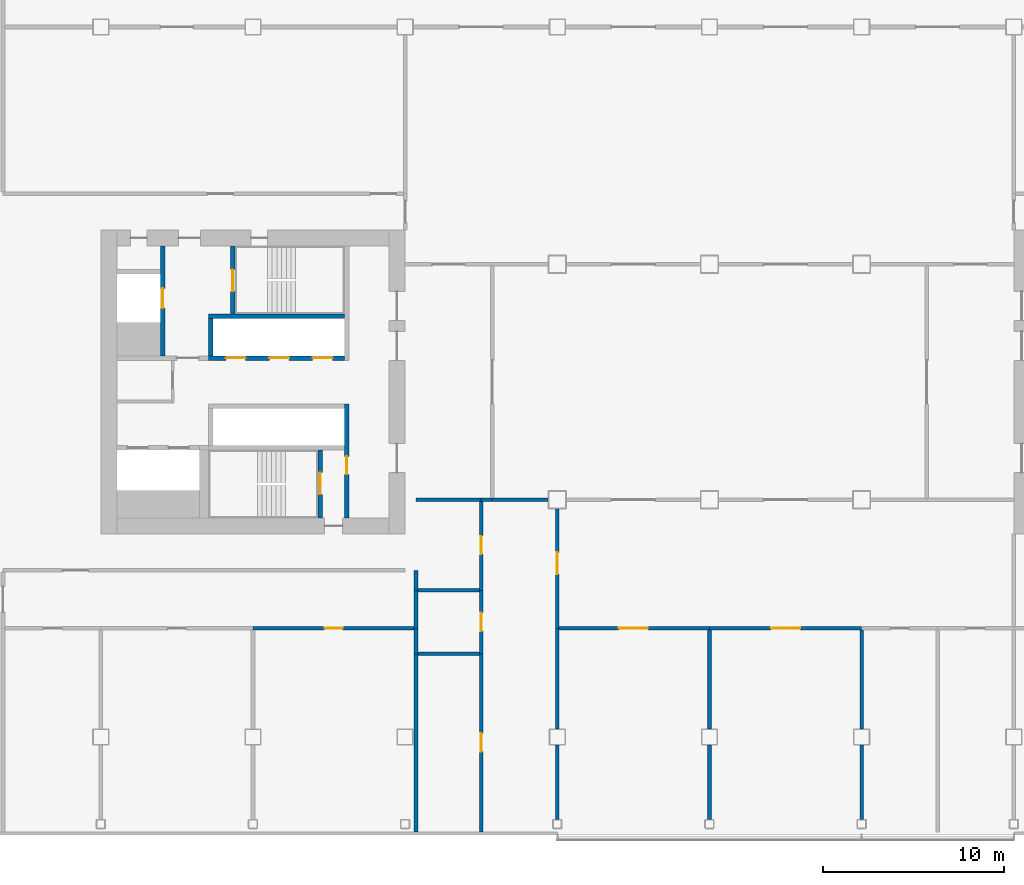
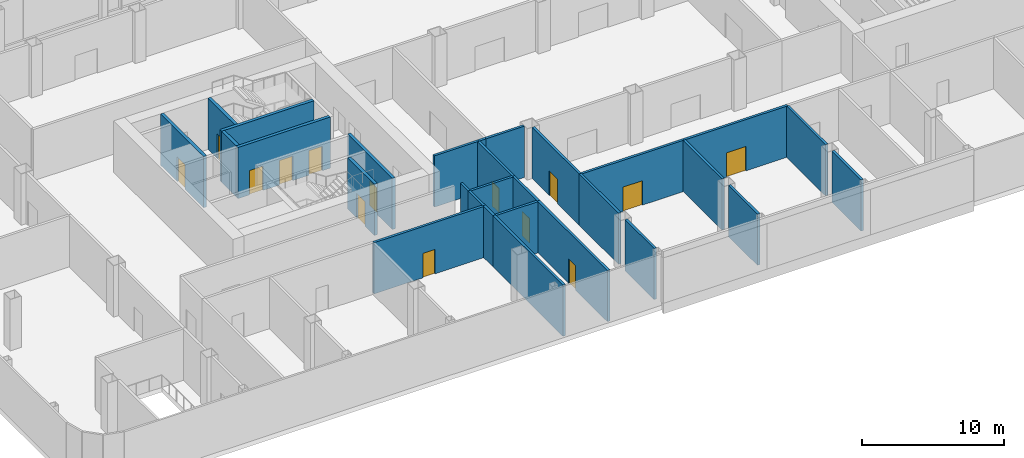
# One storey, part 19 of 53: 29 walls, 14 doors, 14 openings.
"""IFC4 building model written with IfcOpenShell, lengths in metres."""

from ifc_helpers import new_model, si_unit, direction, frame, frame_2d, origin, place, context, subcontext, project, spatial, rectangle, extrude, material, layer, layer_set, type_object, element, fill, save


model = new_model("IFC4")

# Units and contexts
model_context = context("Model", 3, precision=1e-05, world=origin(), true_north=direction((0.0, 1.0)))
body_context = subcontext(model_context, "Body", "Model", "MODEL_VIEW")
ifc_project = project(units=[si_unit("LENGTHUNIT", "METRE"), si_unit("AREAUNIT", "SQUARE_METRE"), si_unit("VOLUMEUNIT", "CUBIC_METRE"), si_unit("PLANEANGLEUNIT", "RADIAN"), si_unit("MASSUNIT", "GRAM", prefix="KILO")], contexts=[model_context])

# Site, building, storey
site_placement = place(None, origin())
site = spatial("IfcSite", under=ifc_project, at=site_placement, CompositionType="ELEMENT")
building_placement = place(site_placement, origin())
building = spatial("IfcBuilding", under=site, at=building_placement, Name="Hakoniwa Tower and Hamabe Station Hall", CompositionType="ELEMENT")
storey_placement = place(building_placement, frame((0.0, 0.0, 15.0)))
storey = spatial("IfcBuildingStorey", under=building, at=storey_placement, Name="L03", CompositionType="ELEMENT", Elevation=15.0)

# Wall, opening, door
ifc_material_1 = material(Name="Concrete C80", Category="concrete")
ifc_layer_1 = layer(ifc_material_1, 0.25)
ifc_layer_set_1 = layer_set([ifc_layer_1], Name="CORE WEB WALL 250 C80")
wall_type_1 = type_object("IfcWallType", Name="CORE WEB WALL 250 C80", PredefinedType="SHEAR", material=ifc_layer_set_1)
wall_1_placement = place(storey_placement, frame((-20.02490234375, -7.5, 0.0), z_axis=(0.0, 0.0, 1.0), x_axis=(0.0, 1.0, 0.0)))
wall_1 = element("IfcWall", 1, at=wall_1_placement, inside=storey, type_object=wall_type_1, Name="Core wall W1S west", PredefinedType="SHEAR", context=body_context, shape_type="SweptSolid", body=[
    extrude(rectangle(XDim=6.300048828125, YDim=0.25, at=frame_2d((3.14990234375, 0.0))), origin(), (0.0, 0.0, 1.0), 4.39990234375),
])
opening_1_placement = place(wall_1_placement, frame((2.39990234375, 0.0, 0.0)))
opening_1 = element("IfcOpeningElement", 2, at=opening_1_placement, cuts=wall_1, Name="Opening CD-W-VS-10", PredefinedType="OPENING", context=body_context, shape_type="SweptSolid", body=[
    extrude(rectangle(XDim=1.0, YDim=2.10009765625, at=frame_2d((0.5, 1.050048828125))), frame((0.0, 0.135009765625, 0.0), z_axis=(0.0, -1.0, 0.0), x_axis=(1.0, 0.0, 0.0)), (0.0, 0.0, 1.0), 0.27001953125),
])
ifc_material_2 = material(Name="Steel fire door", Category="steel")
door_type_1 = type_object("IfcDoorType", Name="CORE DOOR 1000 FD60", OperationType="NOTDEFINED", PredefinedType="DOOR", material=ifc_material_2)
door_1_placement = place(opening_1_placement, origin())
door_1 = element("IfcDoor", 3, at=door_1_placement, inside=storey, type_object=door_type_1, Name="Stair vestibule door", OperationType="SINGLE_SWING_LEFT", OverallHeight=2.10009765625, OverallWidth=1.0, PredefinedType="DOOR", context=body_context, shape_type="SweptSolid", body=[
    extrude(rectangle(XDim=1.0, YDim=2.10009765625, at=frame_2d((0.5, 1.050048828125))), frame((0.0, 0.02490234375, 0.0), z_axis=(0.0, -1.0, 0.0), x_axis=(1.0, 0.0, 0.0)), (0.0, 0.0, 1.0), 0.050048828125),
])
fill(opening_1, door_1)

# Wall, openings, doors
wall_2_placement = place(storey_placement, frame((-27.64990234375, 1.324951171875, 0.0), z_axis=(0.0, 0.0, 1.0), x_axis=(1.0, 0.0, 0.0)))
wall_2 = element("IfcWall", 4, at=wall_2_placement, inside=storey, type_object=wall_type_1, Name="Core wall NF west", PredefinedType="SHEAR", context=body_context, shape_type="SweptSolid", body=[
    extrude(rectangle(XDim=7.5, YDim=0.25, at=frame_2d((3.75, 0.0))), origin(), (0.0, 0.0, 1.0), 4.39990234375),
])
opening_2_placement = place(wall_2_placement, frame((5.75, 0.0, 0.0)))
opening_2 = element("IfcOpeningElement", 5, at=opening_2_placement, cuts=wall_2, Name="Opening LD-LR1", PredefinedType="OPENING", context=body_context, shape_type="SweptSolid", body=[
    extrude(rectangle(XDim=1.10009765625, YDim=2.10009765625, at=frame_2d((0.550048828125, 1.050048828125))), frame((0.0, 0.135009765625, 0.0), z_axis=(0.0, -1.0, 0.0), x_axis=(1.0, 0.0, 0.0)), (0.0, 0.0, 1.0), 0.27001953125),
])
opening_3_placement = place(wall_2_placement, frame((3.35009765625, 0.0, 0.0)))
opening_3 = element("IfcOpeningElement", 6, at=opening_3_placement, cuts=wall_2, Name="Opening LD-LR2", PredefinedType="OPENING", context=body_context, shape_type="SweptSolid", body=[
    extrude(rectangle(XDim=1.10009765625, YDim=2.10009765625, at=frame_2d((0.550048828125, 1.050048828125))), frame((0.0, 0.135009765625, 0.0), z_axis=(0.0, -1.0, 0.0), x_axis=(1.0, 0.0, 0.0)), (0.0, 0.0, 1.0), 0.27001953125),
])
opening_4_placement = place(wall_2_placement, frame((0.949951171875, 0.0, 0.0)))
opening_4 = element("IfcOpeningElement", 7, at=opening_4_placement, cuts=wall_2, Name="Opening LD-LR3", PredefinedType="OPENING", context=body_context, shape_type="SweptSolid", body=[
    extrude(rectangle(XDim=1.10009765625, YDim=2.10009765625, at=frame_2d((0.550048828125, 1.050048828125))), frame((0.0, 0.135009765625, 0.0), z_axis=(0.0, -1.0, 0.0), x_axis=(1.0, 0.0, 0.0)), (0.0, 0.0, 1.0), 0.27001953125),
])
ifc_material_3 = material(Name="Stainless steel SUS304", Category="steel")
door_type_2 = type_object("IfcDoorType", Name="LIFT LANDING DOOR 1100 FD60", OperationType="DOUBLE_DOOR_SLIDING", PredefinedType="DOOR", material=ifc_material_3)
door_2_placement = place(opening_2_placement, origin())
door_2 = element("IfcDoor", 8, at=door_2_placement, inside=storey, type_object=door_type_2, Name="Lift landing door LR1 L03", OperationType="DOUBLE_DOOR_SLIDING", OverallHeight=2.10009765625, OverallWidth=1.10009765625, PredefinedType="DOOR", context=body_context, shape_type="SweptSolid", body=[
    extrude(rectangle(XDim=1.10009765625, YDim=2.10009765625, at=frame_2d((0.550048828125, 1.050048828125))), frame((0.0, 0.02490234375, 0.0), z_axis=(0.0, -1.0, 0.0), x_axis=(1.0, 0.0, 0.0)), (0.0, 0.0, 1.0), 0.050048828125),
])
fill(opening_2, door_2)
door_3_placement = place(opening_3_placement, origin())
door_3 = element("IfcDoor", 9, at=door_3_placement, inside=storey, type_object=door_type_2, Name="Lift landing door LR2 L03", OperationType="DOUBLE_DOOR_SLIDING", OverallHeight=2.10009765625, OverallWidth=1.10009765625, PredefinedType="DOOR", context=body_context, shape_type="SweptSolid", body=[
    extrude(rectangle(XDim=1.10009765625, YDim=2.10009765625, at=frame_2d((0.550048828125, 1.050048828125))), frame((0.0, 0.02490234375, 0.0), z_axis=(0.0, -1.0, 0.0), x_axis=(1.0, 0.0, 0.0)), (0.0, 0.0, 1.0), 0.050048828125),
])
fill(opening_3, door_3)
door_4_placement = place(opening_4_placement, origin())
door_4 = element("IfcDoor", 10, at=door_4_placement, inside=storey, type_object=door_type_2, Name="Lift landing door LR3 L03", OperationType="DOUBLE_DOOR_SLIDING", OverallHeight=2.10009765625, OverallWidth=1.10009765625, PredefinedType="DOOR", context=body_context, shape_type="SweptSolid", body=[
    extrude(rectangle(XDim=1.10009765625, YDim=2.10009765625, at=frame_2d((0.550048828125, 1.050048828125))), frame((0.0, 0.02490234375, 0.0), z_axis=(0.0, -1.0, 0.0), x_axis=(1.0, 0.0, 0.0)), (0.0, 0.0, 1.0), 0.050048828125),
])
fill(opening_4, door_4)

# Walls
wall_3_placement = place(storey_placement, frame((-27.52490234375, 1.449951171875, 0.0), z_axis=(0.0, 0.0, 1.0), x_axis=(0.0, 1.0, 0.0)))
element("IfcWall", 11, at=wall_3_placement, inside=storey, type_object=wall_type_1, Name="Core wall NE west", PredefinedType="SHEAR", context=body_context, shape_type="SweptSolid", body=[
    extrude(rectangle(XDim=2.050048828125, YDim=0.25, at=frame_2d((1.02490234375, 0.0))), origin(), (0.0, 0.0, 1.0), 4.39990234375),
])
wall_4_placement = place(storey_placement, frame((-27.64990234375, 3.625, 0.0), z_axis=(0.0, 0.0, 1.0), x_axis=(1.0, 0.0, 0.0)))
element("IfcWall", 12, at=wall_4_placement, inside=storey, type_object=wall_type_1, Name="Core wall NR west", PredefinedType="SHEAR", context=body_context, shape_type="SweptSolid", body=[
    extrude(rectangle(XDim=7.5, YDim=0.25, at=frame_2d((3.75, 0.0))), origin(), (0.0, 0.0, 1.0), 4.39990234375),
])

# Wall, opening, door
wall_5_placement = place(storey_placement, frame((-26.324951171875, 3.75, 0.0), z_axis=(0.0, 0.0, 1.0), x_axis=(0.0, 1.0, 0.0)))
wall_5 = element("IfcWall", 13, at=wall_5_placement, inside=storey, type_object=wall_type_1, Name="Core wall NSE west", PredefinedType="SHEAR", context=body_context, shape_type="SweptSolid", body=[
    extrude(rectangle(XDim=3.75, YDim=0.25, at=frame_2d((1.875, 0.0))), origin(), (0.0, 0.0, 1.0), 4.39990234375),
])
opening_5_placement = place(wall_5_placement, frame((1.25, 0.0, 0.0)))
opening_5 = element("IfcOpeningElement", 14, at=opening_5_placement, cuts=wall_5, Name="Opening CD-W-SN-12", PredefinedType="OPENING", context=body_context, shape_type="SweptSolid", body=[
    extrude(rectangle(XDim=1.199951171875, YDim=2.10009765625, at=frame_2d((0.60009765625, 1.050048828125))), frame((0.0, 0.135009765625, 0.0), z_axis=(0.0, -1.0, 0.0), x_axis=(1.0, 0.0, 0.0)), (0.0, 0.0, 1.0), 0.27001953125),
])
ifc_material_4 = material(Name="Steel fire door", Category="steel")
door_type_3 = type_object("IfcDoorType", Name="CORE DOOR 1200 FD60", OperationType="DOUBLE_DOOR_SINGLE_SWING", PredefinedType="DOOR", material=ifc_material_4)
door_5_placement = place(opening_5_placement, origin())
door_5 = element("IfcDoor", 15, at=door_5_placement, inside=storey, type_object=door_type_3, Name="Escape stair door", OperationType="DOUBLE_DOOR_SINGLE_SWING", OverallHeight=2.10009765625, OverallWidth=1.199951171875, PredefinedType="DOOR", context=body_context, shape_type="SweptSolid", body=[
    extrude(rectangle(XDim=1.199951171875, YDim=2.10009765625, at=frame_2d((0.60009765625, 1.050048828125))), frame((0.0, 0.02490234375, 0.0), z_axis=(0.0, -1.0, 0.0), x_axis=(1.0, 0.0, 0.0)), (0.0, 0.0, 1.0), 0.050048828125),
])
fill(opening_5, door_5)

wall_6_placement = place(storey_placement, frame((-30.175048828125, 1.449951171875, 0.0), z_axis=(0.0, 0.0, 1.0), x_axis=(0.0, 1.0, 0.0)))
wall_6 = element("IfcWall", 16, at=wall_6_placement, inside=storey, type_object=wall_type_1, Name="Core wall FFF west", PredefinedType="SHEAR", context=body_context, shape_type="SweptSolid", body=[
    extrude(rectangle(XDim=6.050048828125, YDim=0.25, at=frame_2d((3.02490234375, 0.0))), origin(), (0.0, 0.0, 1.0), 4.39990234375),
])
opening_6_placement = place(wall_6_placement, frame((2.625, 0.0, 0.0)))
opening_6 = element("IfcOpeningElement", 17, at=opening_6_placement, cuts=wall_6, Name="Opening LD-FF1", PredefinedType="OPENING", context=body_context, shape_type="SweptSolid", body=[
    extrude(rectangle(XDim=1.10009765625, YDim=2.10009765625, at=frame_2d((0.550048828125, 1.050048828125))), frame((0.0, 0.135009765625, 0.0), z_axis=(0.0, -1.0, 0.0), x_axis=(1.0, 0.0, 0.0)), (0.0, 0.0, 1.0), 0.27001953125),
])
door_6_placement = place(opening_6_placement, origin())
door_6 = element("IfcDoor", 18, at=door_6_placement, inside=storey, type_object=door_type_2, Name="Lift landing door FF1 L03", OperationType="DOUBLE_DOOR_SLIDING", OverallHeight=2.10009765625, OverallWidth=1.10009765625, PredefinedType="DOOR", context=body_context, shape_type="SweptSolid", body=[
    extrude(rectangle(XDim=1.10009765625, YDim=2.10009765625, at=frame_2d((0.550048828125, 1.050048828125))), frame((0.0, 0.02490234375, 0.0), z_axis=(0.0, -1.0, 0.0), x_axis=(1.0, 0.0, 0.0)), (0.0, 0.0, 1.0), 0.050048828125),
])
fill(opening_6, door_6)

wall_7_placement = place(storey_placement, frame((-21.47509765625, -7.5, 0.0), z_axis=(0.0, 0.0, 1.0), x_axis=(0.0, 1.0, 0.0)))
wall_7 = element("IfcWall", 19, at=wall_7_placement, inside=storey, type_object=wall_type_1, Name="Core wall VE west", PredefinedType="SHEAR", context=body_context, shape_type="SweptSolid", body=[
    extrude(rectangle(XDim=3.75, YDim=0.25, at=frame_2d((1.875, 0.0))), origin(), (0.0, 0.0, 1.0), 4.39990234375),
])
opening_7_placement = place(wall_7_placement, frame((1.300048828125, 0.0, 0.0)))
opening_7 = element("IfcOpeningElement", 20, at=opening_7_placement, cuts=wall_7, Name="Opening CD-W-SS-12", PredefinedType="OPENING", context=body_context, shape_type="SweptSolid", body=[
    extrude(rectangle(XDim=1.199951171875, YDim=2.10009765625, at=frame_2d((0.60009765625, 1.050048828125))), frame((0.0, 0.135009765625, 0.0), z_axis=(0.0, -1.0, 0.0), x_axis=(1.0, 0.0, 0.0)), (0.0, 0.0, 1.0), 0.27001953125),
])
door_7_placement = place(opening_7_placement, origin())
door_7 = element("IfcDoor", 21, at=door_7_placement, inside=storey, type_object=door_type_3, Name="Escape stair door", OperationType="DOUBLE_DOOR_SINGLE_SWING", OverallHeight=2.10009765625, OverallWidth=1.199951171875, PredefinedType="DOOR", context=body_context, shape_type="SweptSolid", body=[
    extrude(rectangle(XDim=1.199951171875, YDim=2.10009765625, at=frame_2d((0.60009765625, 1.050048828125))), frame((0.0, 0.02490234375, 0.0), z_axis=(0.0, -1.0, 0.0), x_axis=(1.0, 0.0, 0.0)), (0.0, 0.0, 1.0), 0.050048828125),
])
fill(opening_7, door_7)

ifc_material_5 = material(Name="Fire-rated gypsum board partition")
ifc_layer_2 = layer(ifc_material_5, 0.199951171875)
ifc_layer_set_2 = layer_set([ifc_layer_2], Name="FIRE PARTITION 200 EI 60")
wall_type_2 = type_object("IfcWallType", Name="FIRE PARTITION 200 EI 60", PredefinedType="PARTITIONING", material=ifc_layer_set_2)
wall_8_placement = place(storey_placement, frame((-16.300048828125, -13.60009765625, 0.0), z_axis=(0.0, 0.0, 1.0), x_axis=(-1.0, 0.0, 0.0)))
wall_8 = element("IfcWall", 22, at=wall_8_placement, inside=storey, type_object=wall_type_2, Name="Wall Spa Corridor / Treatment Room 3", PredefinedType="PARTITIONING", context=body_context, shape_type="SweptSolid", body=[
    extrude(rectangle(XDim=8.89990234375, YDim=0.199951171875, at=frame_2d((4.449951171875, 0.0))), origin(), (0.0, 0.0, 1.0), 4.39990234375),
])
opening_8_placement = place(wall_8_placement, frame((3.949951171875, 0.0, 0.0)))
opening_8 = element("IfcOpeningElement", 23, at=opening_8_placement, cuts=wall_8, Name="Opening PD-L03-024", PredefinedType="OPENING", context=body_context, shape_type="SweptSolid", body=[
    extrude(rectangle(XDim=1.0, YDim=2.10009765625, at=frame_2d((0.5, 1.050048828125))), frame((0.0, 0.10986328125, 0.0), z_axis=(0.0, -1.0, 0.0), x_axis=(1.0, 0.0, 0.0)), (0.0, 0.0, 1.0), 0.219970703125),
])
ifc_material_6 = material(Name="Timber door leaf", Category="wood")
door_type_4 = type_object("IfcDoorType", Name="SINGLE DOOR 1000X2100", OperationType="SINGLE_SWING_LEFT", PredefinedType="DOOR", material=ifc_material_6)
door_8_placement = place(opening_8_placement, origin())
door_8 = element("IfcDoor", 24, at=door_8_placement, inside=storey, type_object=door_type_4, Name="Door PD-L03-024", OperationType="SINGLE_SWING_LEFT", OverallHeight=2.10009765625, OverallWidth=1.0, PredefinedType="DOOR", context=body_context, shape_type="SweptSolid", body=[
    extrude(rectangle(XDim=1.0, YDim=2.10009765625, at=frame_2d((0.5, 1.050048828125))), frame((0.0, 0.02490234375, 0.0), z_axis=(0.0, -1.0, 0.0), x_axis=(1.0, 0.0, 0.0)), (0.0, 0.0, 1.0), 0.050048828125),
])
fill(opening_8, door_8)

wall_9_placement = place(storey_placement, frame((0.0, -13.60009765625, 0.0), z_axis=(0.0, 0.0, 1.0), x_axis=(-1.0, 0.0, 0.0)))
wall_9 = element("IfcWall", 25, at=wall_9_placement, inside=storey, type_object=wall_type_2, Name="Wall Spa Reception / Wellness Studio", PredefinedType="PARTITIONING", context=body_context, shape_type="SweptSolid", body=[
    extrude(rectangle(XDim=8.300048828125, YDim=0.199951171875, at=frame_2d((4.14990234375, 0.0))), origin(), (0.0, 0.0, 1.0), 4.39990234375),
])
opening_9_placement = place(wall_9_placement, frame((3.39990234375, 0.0, 0.0)))
opening_9 = element("IfcOpeningElement", 26, at=opening_9_placement, cuts=wall_9, Name="Opening PD-L03-029", PredefinedType="OPENING", context=body_context, shape_type="SweptSolid", body=[
    extrude(rectangle(XDim=1.60009765625, YDim=2.10009765625, at=frame_2d((0.800048828125, 1.050048828125))), frame((0.0, 0.10986328125, 0.0), z_axis=(0.0, -1.0, 0.0), x_axis=(1.0, 0.0, 0.0)), (0.0, 0.0, 1.0), 0.219970703125),
])
ifc_material_7 = material(Name="Glazed aluminium door", Category="aluminium")
door_type_5 = type_object("IfcDoorType", Name="DOUBLE GLAZED DOOR 1600X2100", OperationType="DOUBLE_DOOR_DOUBLE_SWING", PredefinedType="DOOR", material=ifc_material_7)
door_9_placement = place(opening_9_placement, origin())
door_9 = element("IfcDoor", 27, at=door_9_placement, inside=storey, type_object=door_type_5, Name="Door PD-L03-029", OperationType="DOUBLE_DOOR_DOUBLE_SWING", OverallHeight=2.10009765625, OverallWidth=1.60009765625, PredefinedType="DOOR", context=body_context, shape_type="SweptSolid", body=[
    extrude(rectangle(XDim=1.60009765625, YDim=2.10009765625, at=frame_2d((0.800048828125, 1.050048828125))), frame((0.0, 0.02490234375, 0.0), z_axis=(0.0, -1.0, 0.0), x_axis=(1.0, 0.0, 0.0)), (0.0, 0.0, 1.0), 0.050048828125),
])
fill(opening_9, door_9)

wall_10_placement = place(storey_placement, frame((8.39990234375, -13.60009765625, 0.0), z_axis=(0.0, 0.0, 1.0), x_axis=(-1.0, 0.0, 0.0)))
wall_10 = element("IfcWall", 28, at=wall_10_placement, inside=storey, type_object=wall_type_2, Name="Wall Spa Reception / Yoga Studio", PredefinedType="PARTITIONING", context=body_context, shape_type="SweptSolid", body=[
    extrude(rectangle(XDim=8.39990234375, YDim=0.199951171875, at=frame_2d((4.199951171875, 0.0))), origin(), (0.0, 0.0, 1.0), 4.39990234375),
])
opening_10_placement = place(wall_10_placement, frame((3.39990234375, 0.0, 0.0)))
opening_10 = element("IfcOpeningElement", 29, at=opening_10_placement, cuts=wall_10, Name="Opening PD-L03-030", PredefinedType="OPENING", context=body_context, shape_type="SweptSolid", body=[
    extrude(rectangle(XDim=1.60009765625, YDim=2.10009765625, at=frame_2d((0.800048828125, 1.050048828125))), frame((0.0, 0.10986328125, 0.0), z_axis=(0.0, -1.0, 0.0), x_axis=(1.0, 0.0, 0.0)), (0.0, 0.0, 1.0), 0.219970703125),
])
door_10_placement = place(opening_10_placement, origin())
door_10 = element("IfcDoor", 30, at=door_10_placement, inside=storey, type_object=door_type_5, Name="Door PD-L03-030", OperationType="DOUBLE_DOOR_DOUBLE_SWING", OverallHeight=2.10009765625, OverallWidth=1.60009765625, PredefinedType="DOOR", context=body_context, shape_type="SweptSolid", body=[
    extrude(rectangle(XDim=1.60009765625, YDim=2.10009765625, at=frame_2d((0.800048828125, 1.050048828125))), frame((0.0, 0.02490234375, 0.0), z_axis=(0.0, -1.0, 0.0), x_axis=(1.0, 0.0, 0.0)), (0.0, 0.0, 1.0), 0.050048828125),
])
fill(opening_10, door_10)

# Walls
wall_11_placement = place(storey_placement, frame((-16.199951171875, -13.60009765625, 0.0), z_axis=(0.0, 0.0, 1.0), x_axis=(0.0, 1.0, 0.0)))
element("IfcWall", 31, at=wall_11_placement, inside=storey, type_object=wall_type_2, Name="Wall Accessible WC / Spa Corridor", PredefinedType="PARTITIONING", context=body_context, shape_type="SweptSolid", body=[
    extrude(rectangle(XDim=2.10009765625, YDim=0.199951171875, at=frame_2d((1.050048828125, 0.0))), origin(), (0.0, 0.0, 1.0), 4.39990234375),
])
wall_12_placement = place(storey_placement, frame((-16.199951171875, -15.0, 0.0), z_axis=(0.0, 0.0, 1.0), x_axis=(0.0, 1.0, 0.0)))
element("IfcWall", 32, at=wall_12_placement, inside=storey, type_object=wall_type_2, Name="Wall Accessible WC / Treatment Room 3", PredefinedType="PARTITIONING", context=body_context, shape_type="SweptSolid", body=[
    extrude(rectangle(XDim=1.39990234375, YDim=0.199951171875, at=frame_2d((0.699951171875, 0.0))), origin(), (0.0, 0.0, 1.0), 4.39990234375),
])
wall_13_placement = place(storey_placement, frame((-16.10009765625, -11.5, 0.0), z_axis=(0.0, 0.0, 1.0), x_axis=(1.0, 0.0, 0.0)))
element("IfcWall", 33, at=wall_13_placement, inside=storey, type_object=wall_type_2, Name="Wall Accessible WC / Men's WC", PredefinedType="PARTITIONING", context=body_context, shape_type="SweptSolid", body=[
    extrude(rectangle(XDim=3.400146484375, YDim=0.199951171875, at=frame_2d((1.7001953125, 0.0))), origin(), (0.0, 0.0, 1.0), 4.39990234375),
])
wall_14_placement = place(storey_placement, frame((-12.60009765625, -6.5, 0.0), z_axis=(0.0, 0.0, 1.0), x_axis=(1.0, 0.0, 0.0)))
element("IfcWall", 34, at=wall_14_placement, inside=storey, type_object=wall_type_2, Name="Wall WC Lobby / Guest Lift Hall West", PredefinedType="PARTITIONING", context=body_context, shape_type="SweptSolid", body=[
    extrude(rectangle(XDim=0.60009765625, YDim=0.199951171875, at=frame_2d((0.300048828125, 0.0))), origin(), (0.0, 0.0, 1.0), 4.39990234375),
])
wall_15_placement = place(storey_placement, frame((-12.0, -6.5, 0.0), z_axis=(0.0, 0.0, 1.0), x_axis=(1.0, 0.0, 0.0)))
element("IfcWall", 35, at=wall_15_placement, inside=storey, type_object=wall_type_2, Name="Wall WC Lobby / Guest Library", PredefinedType="PARTITIONING", context=body_context, shape_type="SweptSolid", body=[
    extrude(rectangle(XDim=3.10009765625, YDim=0.199951171875, at=frame_2d((1.550048828125, 0.0))), origin(), (0.0, 0.0, 1.0), 4.39990234375),
])

# Wall, opening, door
wall_16_placement = place(storey_placement, frame((-8.39990234375, -7.0, 0.0), z_axis=(0.0, 0.0, 1.0), x_axis=(0.0, -1.0, 0.0)))
wall_16 = element("IfcWall", 36, at=wall_16_placement, inside=storey, type_object=wall_type_2, Name="Wall WC Lobby / Spa Reception", PredefinedType="PARTITIONING", context=body_context, shape_type="SweptSolid", body=[
    extrude(rectangle(XDim=6.60009765625, YDim=0.199951171875, at=frame_2d((3.300048828125, 0.0))), origin(), (0.0, 0.0, 1.0), 4.39990234375),
])
opening_11_placement = place(wall_16_placement, frame((2.39990234375, 0.0, 0.0)))
opening_11 = element("IfcOpeningElement", 37, at=opening_11_placement, cuts=wall_16, Name="Opening PD-L03-028", PredefinedType="OPENING", context=body_context, shape_type="SweptSolid", body=[
    extrude(rectangle(XDim=1.199951171875, YDim=2.10009765625, at=frame_2d((0.60009765625, 1.050048828125))), frame((0.0, 0.10986328125, 0.0), z_axis=(0.0, -1.0, 0.0), x_axis=(1.0, 0.0, 0.0)), (0.0, 0.0, 1.0), 0.219970703125),
])
ifc_material_8 = material(Name="Timber door leaf", Category="wood")
door_type_6 = type_object("IfcDoorType", Name="SINGLE DOOR 1200X2100", OperationType="SINGLE_SWING_LEFT", PredefinedType="DOOR", material=ifc_material_8)
door_11_placement = place(opening_11_placement, origin())
door_11 = element("IfcDoor", 38, at=door_11_placement, inside=storey, type_object=door_type_6, Name="Door PD-L03-028", OperationType="SINGLE_SWING_RIGHT", OverallHeight=2.10009765625, OverallWidth=1.199951171875, PredefinedType="DOOR", context=body_context, shape_type="SweptSolid", body=[
    extrude(rectangle(XDim=1.199951171875, YDim=2.10009765625, at=frame_2d((0.60009765625, 1.050048828125))), frame((0.0, 0.02490234375, 0.0), z_axis=(0.0, -1.0, 0.0), x_axis=(1.0, 0.0, 0.0)), (0.0, 0.0, 1.0), 0.050048828125),
])
fill(opening_11, door_11)

wall_17_placement = place(storey_placement, frame((-12.60009765625, -15.0, 0.0), z_axis=(0.0, 0.0, 1.0), x_axis=(0.0, 1.0, 0.0)))
wall_17 = element("IfcWall", 39, at=wall_17_placement, inside=storey, type_object=wall_type_2, Name="Wall WC Lobby / Accessible WC", PredefinedType="PARTITIONING", context=body_context, shape_type="SweptSolid", body=[
    extrude(rectangle(XDim=3.5, YDim=0.199951171875, at=frame_2d((1.75, 0.0))), origin(), (0.0, 0.0, 1.0), 4.39990234375),
])
opening_12_placement = place(wall_17_placement, frame((1.25, 0.0, 0.0)))
opening_12 = element("IfcOpeningElement", 40, at=opening_12_placement, cuts=wall_17, Name="Opening PD-L03-034", PredefinedType="OPENING", context=body_context, shape_type="SweptSolid", body=[
    extrude(rectangle(XDim=1.0, YDim=2.10009765625, at=frame_2d((0.5, 1.050048828125))), frame((0.0, 0.10986328125, 0.0), z_axis=(0.0, -1.0, 0.0), x_axis=(1.0, 0.0, 0.0)), (0.0, 0.0, 1.0), 0.219970703125),
])
door_12_placement = place(opening_12_placement, origin())
door_12 = element("IfcDoor", 41, at=door_12_placement, inside=storey, type_object=door_type_4, Name="Door PD-L03-034", OperationType="SINGLE_SWING_RIGHT", OverallHeight=2.10009765625, OverallWidth=1.0, PredefinedType="DOOR", context=body_context, shape_type="SweptSolid", body=[
    extrude(rectangle(XDim=1.0, YDim=2.10009765625, at=frame_2d((0.5, 1.050048828125))), frame((0.0, 0.02490234375, 0.0), z_axis=(0.0, -1.0, 0.0), x_axis=(1.0, 0.0, 0.0)), (0.0, 0.0, 1.0), 0.050048828125),
])
fill(opening_12, door_12)

wall_18_placement = place(storey_placement, frame((-12.60009765625, -11.5, 0.0), z_axis=(0.0, 0.0, 1.0), x_axis=(0.0, 1.0, 0.0)))
wall_18 = element("IfcWall", 42, at=wall_18_placement, inside=storey, type_object=wall_type_2, Name="Wall WC Lobby / Men's WC", PredefinedType="PARTITIONING", context=body_context, shape_type="SweptSolid", body=[
    extrude(rectangle(XDim=4.89990234375, YDim=0.199951171875, at=frame_2d((2.449951171875, 0.0))), origin(), (0.0, 0.0, 1.0), 4.39990234375),
])
opening_13_placement = place(wall_18_placement, frame((2.0, 0.0, 0.0)))
opening_13 = element("IfcOpeningElement", 43, at=opening_13_placement, cuts=wall_18, Name="Opening PD-L03-033", PredefinedType="OPENING", context=body_context, shape_type="SweptSolid", body=[
    extrude(rectangle(XDim=1.0, YDim=2.10009765625, at=frame_2d((0.5, 1.050048828125))), frame((0.0, 0.10986328125, 0.0), z_axis=(0.0, -1.0, 0.0), x_axis=(1.0, 0.0, 0.0)), (0.0, 0.0, 1.0), 0.219970703125),
])
door_13_placement = place(opening_13_placement, origin())
door_13 = element("IfcDoor", 44, at=door_13_placement, inside=storey, type_object=door_type_4, Name="Door PD-L03-033", OperationType="SINGLE_SWING_LEFT", OverallHeight=2.10009765625, OverallWidth=1.0, PredefinedType="DOOR", context=body_context, shape_type="SweptSolid", body=[
    extrude(rectangle(XDim=1.0, YDim=2.10009765625, at=frame_2d((0.5, 1.050048828125))), frame((0.0, 0.02490234375, 0.0), z_axis=(0.0, -1.0, 0.0), x_axis=(1.0, 0.0, 0.0)), (0.0, 0.0, 1.0), 0.050048828125),
])
fill(opening_13, door_13)

wall_19_placement = place(storey_placement, frame((-12.60009765625, -24.85009765625, 0.0), z_axis=(0.0, 0.0, 1.0), x_axis=(0.0, 1.0, 0.0)))
wall_19 = element("IfcWall", 45, at=wall_19_placement, inside=storey, type_object=wall_type_2, Name="Wall WC Lobby / Women's WC", PredefinedType="PARTITIONING", context=body_context, shape_type="SweptSolid", body=[
    extrude(rectangle(XDim=9.85009765625, YDim=0.199951171875, at=frame_2d((4.925048828125, 0.0))), origin(), (0.0, 0.0, 1.0), 4.39990234375),
])
opening_14_placement = place(wall_19_placement, frame((4.449951171875, 0.0, 0.0)))
opening_14 = element("IfcOpeningElement", 46, at=opening_14_placement, cuts=wall_19, Name="Opening PD-L03-035", PredefinedType="OPENING", context=body_context, shape_type="SweptSolid", body=[
    extrude(rectangle(XDim=1.0, YDim=2.10009765625, at=frame_2d((0.5, 1.050048828125))), frame((0.0, 0.10986328125, 0.0), z_axis=(0.0, -1.0, 0.0), x_axis=(1.0, 0.0, 0.0)), (0.0, 0.0, 1.0), 0.219970703125),
])
door_14_placement = place(opening_14_placement, origin())
door_14 = element("IfcDoor", 47, at=door_14_placement, inside=storey, type_object=door_type_4, Name="Door PD-L03-035", OperationType="SINGLE_SWING_LEFT", OverallHeight=2.10009765625, OverallWidth=1.0, PredefinedType="DOOR", context=body_context, shape_type="SweptSolid", body=[
    extrude(rectangle(XDim=1.0, YDim=2.10009765625, at=frame_2d((0.5, 1.050048828125))), frame((0.0, 0.02490234375, 0.0), z_axis=(0.0, -1.0, 0.0), x_axis=(1.0, 0.0, 0.0)), (0.0, 0.0, 1.0), 0.050048828125),
])
fill(opening_14, door_14)

# Walls
wall_20_placement = place(storey_placement, frame((-8.39990234375, -13.60009765625, 0.0), z_axis=(0.0, 0.0, 1.0), x_axis=(0.0, -1.0, 0.0)))
element("IfcWall", 48, at=wall_20_placement, inside=storey, type_object=wall_type_2, Name="Wall WC Lobby / Wellness Studio", PredefinedType="PARTITIONING", context=body_context, shape_type="SweptSolid", body=[
    extrude(rectangle(XDim=5.5498046875, YDim=0.199951171875, at=frame_2d((2.77490234375, 0.0))), origin(), (0.0, 0.0, 1.0), 4.39990234375),
])
wall_21_placement = place(storey_placement, frame((-8.39990234375, -20.050048828125, 0.0), z_axis=(0.0, 0.0, 1.0), x_axis=(0.0, -1.0, 0.0)))
element("IfcWall", 49, at=wall_21_placement, inside=storey, type_object=wall_type_2, Name="Wall WC Lobby / Wellness Studio", PredefinedType="PARTITIONING", context=body_context, shape_type="SweptSolid", body=[
    extrude(rectangle(XDim=4.099853515625, YDim=0.199951171875, at=frame_2d((2.0498046875, 0.0))), origin(), (0.0, 0.0, 1.0), 4.39990234375),
])
wall_22_placement = place(storey_placement, frame((-16.199951171875, -6.5, 0.0), z_axis=(0.0, 0.0, 1.0), x_axis=(1.0, 0.0, 0.0)))
element("IfcWall", 50, at=wall_22_placement, inside=storey, type_object=wall_type_2, Name="Wall Men's WC / Guest Lift Hall West", PredefinedType="PARTITIONING", context=body_context, shape_type="SweptSolid", body=[
    extrude(rectangle(XDim=3.599853515625, YDim=0.199951171875, at=frame_2d((1.7998046875, 0.0))), origin(), (0.0, 0.0, 1.0), 4.39990234375),
])
wall_23_placement = place(storey_placement, frame((-16.199951171875, -11.5, 0.0), z_axis=(0.0, 0.0, 1.0), x_axis=(0.0, 1.0, 0.0)))
element("IfcWall", 51, at=wall_23_placement, inside=storey, type_object=wall_type_2, Name="Wall Men's WC / Spa Corridor", PredefinedType="PARTITIONING", context=body_context, shape_type="SweptSolid", body=[
    extrude(rectangle(XDim=1.10009765625, YDim=0.199951171875, at=frame_2d((0.550048828125, 0.0))), origin(), (0.0, 0.0, 1.0), 4.39990234375),
])
wall_24_placement = place(storey_placement, frame((-16.199951171875, -24.85009765625, 0.0), z_axis=(0.0, 0.0, 1.0), x_axis=(0.0, 1.0, 0.0)))
element("IfcWall", 52, at=wall_24_placement, inside=storey, type_object=wall_type_2, Name="Wall Women's WC / Treatment Room 3", PredefinedType="PARTITIONING", context=body_context, shape_type="SweptSolid", body=[
    extrude(rectangle(XDim=9.85009765625, YDim=0.199951171875, at=frame_2d((4.925048828125, 0.0))), origin(), (0.0, 0.0, 1.0), 4.39990234375),
])
wall_25_placement = place(storey_placement, frame((-16.10009765625, -15.0, 0.0), z_axis=(0.0, 0.0, 1.0), x_axis=(1.0, 0.0, 0.0)))
element("IfcWall", 53, at=wall_25_placement, inside=storey, type_object=wall_type_2, Name="Wall Women's WC / Accessible WC", PredefinedType="PARTITIONING", context=body_context, shape_type="SweptSolid", body=[
    extrude(rectangle(XDim=3.400146484375, YDim=0.199951171875, at=frame_2d((1.7001953125, 0.0))), origin(), (0.0, 0.0, 1.0), 4.39990234375),
])
wall_26_placement = place(storey_placement, frame((0.0, -13.699951171875, 0.0), z_axis=(0.0, 0.0, 1.0), x_axis=(0.0, -1.0, 0.0)))
element("IfcWall", 54, at=wall_26_placement, inside=storey, type_object=wall_type_2, Name="Wall Wellness Studio / Yoga Studio", PredefinedType="PARTITIONING", context=body_context, shape_type="SweptSolid", body=[
    extrude(rectangle(XDim=5.449951171875, YDim=0.199951171875, at=frame_2d((2.72509765625, 0.0))), origin(), (0.0, 0.0, 1.0), 4.39990234375),
])
wall_27_placement = place(storey_placement, frame((0.0, -20.050048828125, 0.0), z_axis=(0.0, 0.0, 1.0), x_axis=(0.0, -1.0, 0.0)))
element("IfcWall", 55, at=wall_27_placement, inside=storey, type_object=wall_type_2, Name="Wall Wellness Studio / Yoga Studio", PredefinedType="PARTITIONING", context=body_context, shape_type="SweptSolid", body=[
    extrude(rectangle(XDim=4.099853515625, YDim=0.199951171875, at=frame_2d((2.0498046875, 0.0))), origin(), (0.0, 0.0, 1.0), 4.39990234375),
])
wall_28_placement = place(storey_placement, frame((8.39990234375, -13.699951171875, 0.0), z_axis=(0.0, 0.0, 1.0), x_axis=(0.0, -1.0, 0.0)))
element("IfcWall", 56, at=wall_28_placement, inside=storey, type_object=wall_type_2, Name="Wall Yoga Studio / Women's Changing Room", PredefinedType="PARTITIONING", context=body_context, shape_type="SweptSolid", body=[
    extrude(rectangle(XDim=5.449951171875, YDim=0.199951171875, at=frame_2d((2.72509765625, 0.0))), origin(), (0.0, 0.0, 1.0), 4.39990234375),
])
wall_29_placement = place(storey_placement, frame((8.39990234375, -20.050048828125, 0.0), z_axis=(0.0, 0.0, 1.0), x_axis=(0.0, -1.0, 0.0)))
element("IfcWall", 57, at=wall_29_placement, inside=storey, type_object=wall_type_2, Name="Wall Yoga Studio / Women's Changing Room", PredefinedType="PARTITIONING", context=body_context, shape_type="SweptSolid", body=[
    extrude(rectangle(XDim=4.099853515625, YDim=0.199951171875, at=frame_2d((2.0498046875, 0.0))), origin(), (0.0, 0.0, 1.0), 4.39990234375),
])

save(model, "model.ifc")
